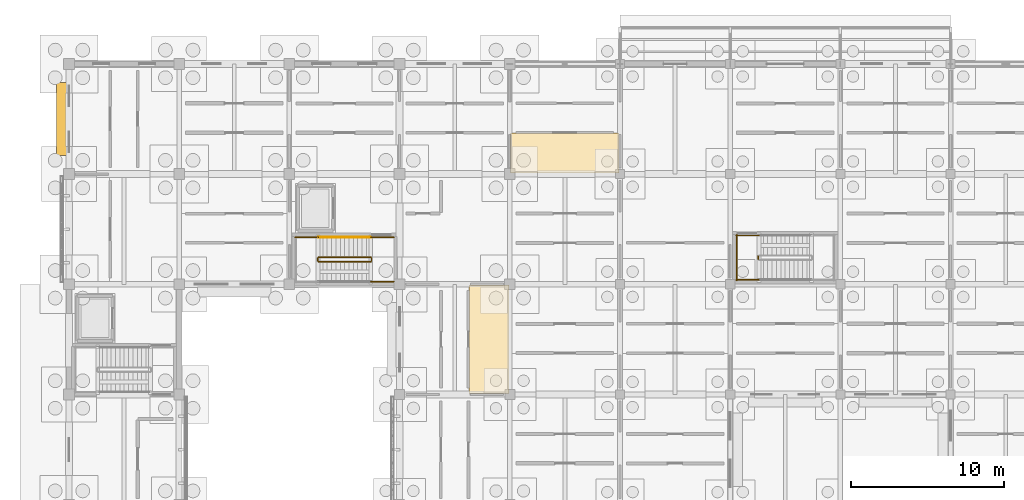
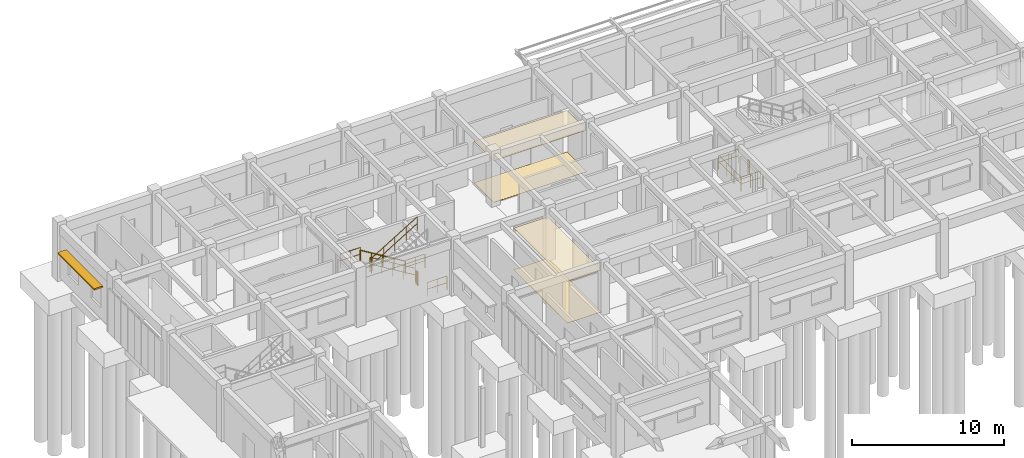
# One storey, part 95 of 111: 12 railings, 4 coverings, 1 shading device.
"""IFC4 building model written with IfcOpenShell, lengths in metres."""

from ifc_helpers import new_model, si_unit, direction, frame, origin, origin_2d, place, context, subcontext, project, spatial, polyline, rectangle, circle, outline, extrude, material, layer, layer_set, type_object, element, save


model = new_model("IFC4")

# Units and contexts
model_context = context("Model", 3, precision=1e-05, world=origin(), true_north=direction((0.0, 1.0)))
body_context = subcontext(model_context, "Body", "Model", "MODEL_VIEW")
ifc_project = project(units=[si_unit("LENGTHUNIT", "METRE"), si_unit("AREAUNIT", "SQUARE_METRE"), si_unit("VOLUMEUNIT", "CUBIC_METRE"), si_unit("PLANEANGLEUNIT", "RADIAN"), si_unit("MASSUNIT", "GRAM", prefix="KILO")], contexts=[model_context])

# Site, building, storey
site_placement = place(None, origin())
site = spatial("IfcSite", under=ifc_project, at=site_placement, CompositionType="ELEMENT")
building_placement = place(site_placement, origin())
building = spatial("IfcBuilding", under=site, at=building_placement, Name="Aldebral Square Health Centre", CompositionType="ELEMENT")
storey_placement = place(building_placement, origin())
storey = spatial("IfcBuildingStorey", under=building, at=storey_placement, Name="L00", CompositionType="ELEMENT", Elevation=0.0)

# Coverings
ifc_material_1 = material(Name="Hygienic acoustic mineral ceiling tile")
ifc_layer_1 = layer(ifc_material_1, 0.02001953125, Name="Hygienic acoustic mineral ceiling tile")
ifc_layer_set_1 = layer_set([ifc_layer_1], Name="Hygienic acoustic mineral ceiling tile")
covering_type_1 = type_object("IfcCoveringType", Name="COV-CLG-AC", PredefinedType="CEILING", material=ifc_layer_set_1)
covering_1_placement = place(storey_placement, frame((0.0, 0.0, 3.340087890625)))
element("IfcCovering", 1, at=covering_1_placement, inside=storey, type_object=covering_type_1, Name="L00 Electrical Switchroom 5.16S acoustic ceiling", PredefinedType="CEILING", context=body_context, shape_type="SweptSolid", body=[
    extrude(outline(polyline([(28.860107421875, 108.06005859375), (35.93994140625, 108.06005859375), (35.93994140625, 110.679931640625), (28.860107421875, 110.679931640625), (28.860107421875, 108.06005859375)])), origin(), (0.0, 0.0, 1.0), 0.02001953125),
])
covering_2_placement = place(storey_placement, frame((0.0, 0.0, 3.340087890625)))
element("IfcCovering", 2, at=covering_2_placement, inside=storey, type_object=covering_type_1, Name="L00 General Consulting Room 4.14E acoustic ceiling", PredefinedType="CEILING", context=body_context, shape_type="SweptSolid", body=[
    extrude(outline(polyline([(26.139892578125, 93.659912109375), (28.739990234375, 93.659912109375), (28.739990234375, 100.739990234375), (26.139892578125, 100.739990234375), (26.139892578125, 93.659912109375)])), origin(), (0.0, 0.0, 1.0), 0.02001953125),
])
ifc_material_2 = material(Name="Antimicrobial clinical vinyl flooring")
ifc_layer_2 = layer(ifc_material_2, 0.014892578125, Name="Antimicrobial clinical vinyl flooring")
ifc_layer_set_2 = layer_set([ifc_layer_2], Name="Antimicrobial clinical vinyl flooring")
covering_type_2 = type_object("IfcCoveringType", Name="COV-FLR-VN", PredefinedType="FLOORING", material=ifc_layer_set_2)
covering_3_placement = place(storey_placement, origin())
element("IfcCovering", 3, at=covering_3_placement, inside=storey, type_object=covering_type_2, Name="L00 Electrical Switchroom 5.16S clinical flooring", PredefinedType="FLOORING", context=body_context, shape_type="SweptSolid", body=[
    extrude(outline(polyline([(28.860107421875, 108.06005859375), (35.93994140625, 108.06005859375), (35.93994140625, 110.679931640625), (28.860107421875, 110.679931640625), (28.860107421875, 108.06005859375)])), origin(), (0.0, 0.0, 1.0), 0.014892578125),
])
covering_4_placement = place(storey_placement, origin())
element("IfcCovering", 4, at=covering_4_placement, inside=storey, type_object=covering_type_2, Name="L00 General Consulting Room 4.14E clinical flooring", PredefinedType="FLOORING", context=body_context, shape_type="SweptSolid", body=[
    extrude(outline(polyline([(26.139892578125, 93.659912109375), (28.739990234375, 93.659912109375), (28.739990234375, 100.739990234375), (26.139892578125, 100.739990234375), (26.139892578125, 93.659912109375)])), origin(), (0.0, 0.0, 1.0), 0.014892578125),
])

# Railings
ifc_material_3 = material(Name="Painted steel S355JR stair guard", Category="steel")
railing_type_1 = type_object("IfcRailingType", Name="RL-ST-GRD", PredefinedType="GUARDRAIL", material=ifc_material_3)
railing_1_placement = place(storey_placement, frame((19.719970703125, 102.570068359375, 0.173095703125)))
element("IfcRailing", 5, at=railing_1_placement, inside=storey, type_object=railing_type_1, Name="L00 ST-02 stair guard 1", PredefinedType="GUARDRAIL", context=body_context, shape_type="SweptSolid", body=[
    extrude(circle(Radius=0.02392578125, at=origin_2d()), frame((0.0, 0.0, 1.09619140625), z_axis=(-0.854729506542, 0.0, 0.519073665916), x_axis=(0.0, -1.0, 0.0)), (0.0, 0.0, 1.0), 4.001220703125),
    extrude(circle(Radius=0.02392578125, at=origin_2d()), frame((0.0, 0.0, 0.56005859375), z_axis=(-0.854729506542, 0.0, 0.519073665916), x_axis=(0.0, -1.0, 0.0)), (0.0, 0.0, 1.0), 4.001220703125),
    extrude(circle(Radius=0.02099609375, at=origin_2d()), origin(), (0.0, 0.0, 1.0), 1.072021484375),
    extrude(circle(Radius=0.02099609375, at=origin_2d()), frame((-0.85498046875, 0.0, 0.519287109375)), (0.0, 0.0, 1.0), 1.072021484375),
    extrude(circle(Radius=0.02099609375, at=origin_2d()), frame((-1.7099609375, 0.0, 1.03857421875)), (0.0, 0.0, 1.0), 1.072021484375),
    extrude(circle(Radius=0.02099609375, at=origin_2d()), frame((-2.56494140625, 0.0, 1.5576171875)), (0.0, 0.0, 1.0), 1.072021484375),
    extrude(circle(Radius=0.02099609375, at=origin_2d()), frame((-3.419921875, 0.0, 2.076904296875)), (0.0, 0.0, 1.0), 1.072021484375),
])
railing_2_placement = place(storey_placement, frame((16.25, 102.52001953125, 2.25)))
element("IfcRailing", 6, at=railing_2_placement, inside=storey, type_object=railing_type_1, Name="L00 ST-02 stair guard 2", PredefinedType="GUARDRAIL", context=body_context, shape_type="SweptSolid", body=[
    extrude(circle(Radius=0.02392578125, at=origin_2d()), frame((0.0, 0.0, 1.09619140625), z_axis=(0.0, -1.0, 0.0), x_axis=(1.0, 0.0, 0.0)), (0.0, 0.0, 1.0), 0.199951171875),
    extrude(circle(Radius=0.02392578125, at=origin_2d()), frame((0.0, 0.0, 0.56005859375), z_axis=(0.0, -1.0, 0.0), x_axis=(1.0, 0.0, 0.0)), (0.0, 0.0, 1.0), 0.199951171875),
    extrude(circle(Radius=0.02099609375, at=origin_2d()), origin(), (0.0, 0.0, 1.0), 1.072021484375),
    extrude(circle(Radius=0.02099609375, at=origin_2d()), frame((0.0, -0.199951171875, 0.0)), (0.0, 0.0, 1.0), 1.072021484375),
])
railing_3_placement = place(storey_placement, frame((16.300048828125, 103.8701171875, 2.25)))
element("IfcRailing", 7, at=railing_3_placement, inside=storey, type_object=railing_type_1, Name="L00 ST-02 stair guard 3", PredefinedType="GUARDRAIL", context=body_context, shape_type="SweptSolid", body=[
    extrude(circle(Radius=0.02392578125, at=origin_2d()), frame((0.0, 0.0, 1.09619140625), z_axis=(-1.0, 0.0, 0.0), x_axis=(0.0, -1.0, 0.0)), (0.0, 0.0, 1.0), 1.52001953125),
    extrude(circle(Radius=0.02392578125, at=origin_2d()), frame((0.0, 0.0, 0.56005859375), z_axis=(-1.0, 0.0, 0.0), x_axis=(0.0, -1.0, 0.0)), (0.0, 0.0, 1.0), 1.52001953125),
    extrude(circle(Radius=0.02099609375, at=origin_2d()), origin(), (0.0, 0.0, 1.0), 1.072021484375),
    extrude(circle(Radius=0.02099609375, at=origin_2d()), frame((-0.760009765625, 0.0, 0.0)), (0.0, 0.0, 1.0), 1.072021484375),
    extrude(circle(Radius=0.02099609375, at=origin_2d()), frame((-1.52001953125, 0.0, 0.0)), (0.0, 0.0, 1.0), 1.072021484375),
])
railing_4_placement = place(storey_placement, frame((16.300048828125, 102.27001953125, 2.423095703125)))
element("IfcRailing", 8, at=railing_4_placement, inside=storey, type_object=railing_type_1, Name="L00 ST-02 stair guard 6", PredefinedType="GUARDRAIL", context=body_context, shape_type="SweptSolid", body=[
    extrude(circle(Radius=0.02392578125, at=origin_2d()), frame((0.0, 0.0, 1.09619140625), z_axis=(0.854729506542, 0.0, 0.519073665916), x_axis=(0.0, 1.0, 0.0)), (0.0, 0.0, 1.0), 4.001220703125),
    extrude(circle(Radius=0.02392578125, at=origin_2d()), frame((0.0, 0.0, 0.56005859375), z_axis=(0.854729506542, 0.0, 0.519073665916), x_axis=(0.0, 1.0, 0.0)), (0.0, 0.0, 1.0), 4.001220703125),
    extrude(circle(Radius=0.02099609375, at=origin_2d()), origin(), (0.0, 0.0, 1.0), 1.072021484375),
    extrude(circle(Radius=0.02099609375, at=origin_2d()), frame((0.85498046875, 0.0, 0.519287109375)), (0.0, 0.0, 1.0), 1.072021484375),
    extrude(circle(Radius=0.02099609375, at=origin_2d()), frame((1.7099609375, 0.0, 1.03857421875)), (0.0, 0.0, 1.0), 1.072021484375),
    extrude(circle(Radius=0.02099609375, at=origin_2d()), frame((2.56494140625, 0.0, 1.5576171875)), (0.0, 0.0, 1.0), 1.072021484375),
    extrude(circle(Radius=0.02099609375, at=origin_2d()), frame((3.419921875, 0.0, 2.076904296875)), (0.0, 0.0, 1.0), 1.072021484375),
])
railing_5_placement = place(storey_placement, frame((19.77001953125, 102.52001953125, 0.0)))
element("IfcRailing", 9, at=railing_5_placement, inside=storey, type_object=railing_type_1, Name="L00 ST-02 stair guard 7", PredefinedType="GUARDRAIL", context=body_context, shape_type="SweptSolid", body=[
    extrude(circle(Radius=0.02392578125, at=origin_2d()), frame((0.0, 0.0, 1.09619140625), z_axis=(0.0, -1.0, 0.0), x_axis=(1.0, 0.0, 0.0)), (0.0, 0.0, 1.0), 0.199951171875),
    extrude(circle(Radius=0.02392578125, at=origin_2d()), frame((0.0, 0.0, 0.56005859375), z_axis=(0.0, -1.0, 0.0), x_axis=(1.0, 0.0, 0.0)), (0.0, 0.0, 1.0), 0.199951171875),
    extrude(circle(Radius=0.02099609375, at=origin_2d()), origin(), (0.0, 0.0, 1.0), 1.072021484375),
    extrude(circle(Radius=0.02099609375, at=origin_2d()), frame((0.0, -0.199951171875, 0.0)), (0.0, 0.0, 1.0), 1.072021484375),
])
for number, where, name in (
    (10, (21.219970703125, 103.8701171875, 0.0), "L00 ST-02 stair guard 8"),
    (11, (21.219970703125, 100.969970703125, 0.0), "L00 ST-02 stair guard 9"),
):
    element("IfcRailing", number, at=place(storey_placement, frame(where)), inside=storey, type_object=railing_type_1, Name=name, PredefinedType="GUARDRAIL", context=body_context, shape_type="SweptSolid", body=[
        extrude(circle(Radius=0.02392578125, at=origin_2d()), frame((0.0, 0.0, 1.09619140625), z_axis=(-1.0, 0.0, 0.0), x_axis=(0.0, -1.0, 0.0)), (0.0, 0.0, 1.0), 1.5),
        extrude(circle(Radius=0.02392578125, at=origin_2d()), frame((0.0, 0.0, 0.56005859375), z_axis=(-1.0, 0.0, 0.0), x_axis=(0.0, -1.0, 0.0)), (0.0, 0.0, 1.0), 1.5),
        extrude(circle(Radius=0.02099609375, at=origin_2d()), origin(), (0.0, 0.0, 1.0), 1.072021484375),
        extrude(circle(Radius=0.02099609375, at=origin_2d()), frame((-0.75, 0.0, 0.0)), (0.0, 0.0, 1.0), 1.072021484375),
        extrude(circle(Radius=0.02099609375, at=origin_2d()), frame((-1.5, 0.0, 0.0)), (0.0, 0.0, 1.0), 1.072021484375),
    ])
railing_6_placement = place(storey_placement, frame((45.030029296875, 102.43994140625, 0.0)))
element("IfcRailing", 12, at=railing_6_placement, inside=storey, type_object=railing_type_1, Name="L00 ST-06 stair guard 7", PredefinedType="GUARDRAIL", context=body_context, shape_type="SweptSolid", body=[
    extrude(circle(Radius=0.02392578125, at=origin_2d()), frame((0.0, 0.0, 1.09619140625), z_axis=(0.0, 1.0, 0.0), x_axis=(-1.0, 0.0, 0.0)), (0.0, 0.0, 1.0), 0.199951171875),
    extrude(circle(Radius=0.02392578125, at=origin_2d()), frame((0.0, 0.0, 0.56005859375), z_axis=(0.0, 1.0, 0.0), x_axis=(-1.0, 0.0, 0.0)), (0.0, 0.0, 1.0), 0.199951171875),
    extrude(circle(Radius=0.02099609375, at=origin_2d()), origin(), (0.0, 0.0, 1.0), 1.072021484375),
    extrude(circle(Radius=0.02099609375, at=origin_2d()), frame((0.0, 0.199951171875, 0.0)), (0.0, 0.0, 1.0), 1.072021484375),
])
for number, where, name in (
    (13, (43.580078125, 101.090087890625, 0.0), "L00 ST-06 stair guard 8"),
    (14, (43.580078125, 103.989990234375, 0.0), "L00 ST-06 stair guard 9"),
):
    element("IfcRailing", number, at=place(storey_placement, frame(where)), inside=storey, type_object=railing_type_1, Name=name, PredefinedType="GUARDRAIL", context=body_context, shape_type="SweptSolid", body=[
        extrude(circle(Radius=0.02392578125, at=origin_2d()), frame((0.0, 0.0, 1.09619140625), z_axis=(1.0, 0.0, 0.0), x_axis=(0.0, 1.0, 0.0)), (0.0, 0.0, 1.0), 1.5),
        extrude(circle(Radius=0.02392578125, at=origin_2d()), frame((0.0, 0.0, 0.56005859375), z_axis=(1.0, 0.0, 0.0), x_axis=(0.0, 1.0, 0.0)), (0.0, 0.0, 1.0), 1.5),
        extrude(circle(Radius=0.02099609375, at=origin_2d()), origin(), (0.0, 0.0, 1.0), 1.072021484375),
        extrude(circle(Radius=0.02099609375, at=origin_2d()), frame((0.75, 0.0, 0.0)), (0.0, 0.0, 1.0), 1.072021484375),
        extrude(circle(Radius=0.02099609375, at=origin_2d()), frame((1.5, 0.0, 0.0)), (0.0, 0.0, 1.0), 1.072021484375),
    ])
railing_7_placement = place(storey_placement, frame((43.6298828125, 101.0400390625, 0.0)))
element("IfcRailing", 15, at=railing_7_placement, inside=storey, type_object=railing_type_1, Name="L00 ST-06 stair guard 10", PredefinedType="GUARDRAIL", context=body_context, shape_type="SweptSolid", body=[
    extrude(circle(Radius=0.02392578125, at=origin_2d()), frame((0.0, 0.0, 1.09619140625), z_axis=(0.0, 1.0, 0.0), x_axis=(-1.0, 0.0, 0.0)), (0.0, 0.0, 1.0), 3.0),
    extrude(circle(Radius=0.02392578125, at=origin_2d()), frame((0.0, 0.0, 0.56005859375), z_axis=(0.0, 1.0, 0.0), x_axis=(-1.0, 0.0, 0.0)), (0.0, 0.0, 1.0), 3.0),
    extrude(circle(Radius=0.02099609375, at=origin_2d()), origin(), (0.0, 0.0, 1.0), 1.072021484375),
    extrude(circle(Radius=0.02099609375, at=origin_2d()), frame((0.0, 1.0, 0.0)), (0.0, 0.0, 1.0), 1.072021484375),
    extrude(circle(Radius=0.02099609375, at=origin_2d()), frame((0.0, 2.0, 0.0)), (0.0, 0.0, 1.0), 1.072021484375),
    extrude(circle(Radius=0.02099609375, at=origin_2d()), frame((0.0, 3.0, 0.0)), (0.0, 0.0, 1.0), 1.072021484375),
])
ifc_material_4 = material(Name="Brushed stainless steel handrail", Category="steel")
railing_type_2 = type_object("IfcRailingType", Name="RL-ST-HND", PredefinedType="HANDRAIL", material=ifc_material_4)
railing_8_placement = place(storey_placement, frame((19.719970703125, 103.8701171875, 0.173095703125)))
element("IfcRailing", 16, at=railing_8_placement, inside=storey, type_object=railing_type_2, Name="L00 ST-02 stair handrail 1", PredefinedType="HANDRAIL", context=body_context, shape_type="SweptSolid", body=[
    extrude(circle(Radius=0.02392578125, at=origin_2d()), frame((0.0, 0.0, 0.8759765625), z_axis=(-0.854729506542, 0.0, 0.519073665916), x_axis=(0.0, -1.0, 0.0)), (0.0, 0.0, 1.0), 4.001220703125),
    extrude(circle(Radius=0.02099609375, at=origin_2d()), origin(), (0.0, 0.0, 1.0), 0.851806640625),
    extrude(circle(Radius=0.02099609375, at=origin_2d()), frame((-0.85498046875, 0.0, 0.519287109375)), (0.0, 0.0, 1.0), 0.851806640625),
    extrude(circle(Radius=0.02099609375, at=origin_2d()), frame((-1.7099609375, 0.0, 1.03857421875)), (0.0, 0.0, 1.0), 0.851806640625),
    extrude(circle(Radius=0.02099609375, at=origin_2d()), frame((-2.56494140625, 0.0, 1.5576171875)), (0.0, 0.0, 1.0), 0.851806640625),
    extrude(circle(Radius=0.02099609375, at=origin_2d()), frame((-3.419921875, 0.0, 2.076904296875)), (0.0, 0.0, 1.0), 0.851806640625),
])

# Shading device
ifc_material_5 = material(Name="Sienna-terracotta solar hood", Category="masonry")
shading_device_type = type_object("IfcShadingDeviceType", Name="SHD-LVR-1", PredefinedType="JALOUSIE", material=ifc_material_5)
shading_device_placement = place(storey_placement, frame((-0.4951171875, 111.60009765625, 2.669921875), z_axis=(0.0, 0.0, 1.0), x_axis=(0.0, 1.0, 0.0)))
element("IfcShadingDevice", 17, at=shading_device_placement, inside=storey, type_object=shading_device_type, Name="L00 solar hood L00-V4-00-15-W", PredefinedType="JALOUSIE", context=body_context, shape_type="SweptSolid", body=[
    extrude(rectangle(XDim=4.800048828125, YDim=0.64990234375, at=origin_2d()), origin(), (0.0, 0.0, 1.0), 0.1201171875),
])

save(model, "model.ifc")
